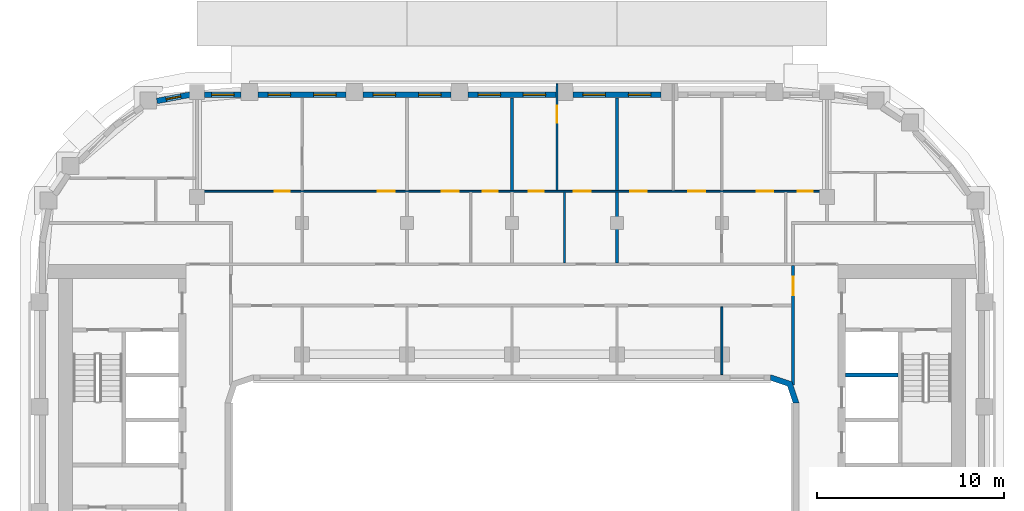
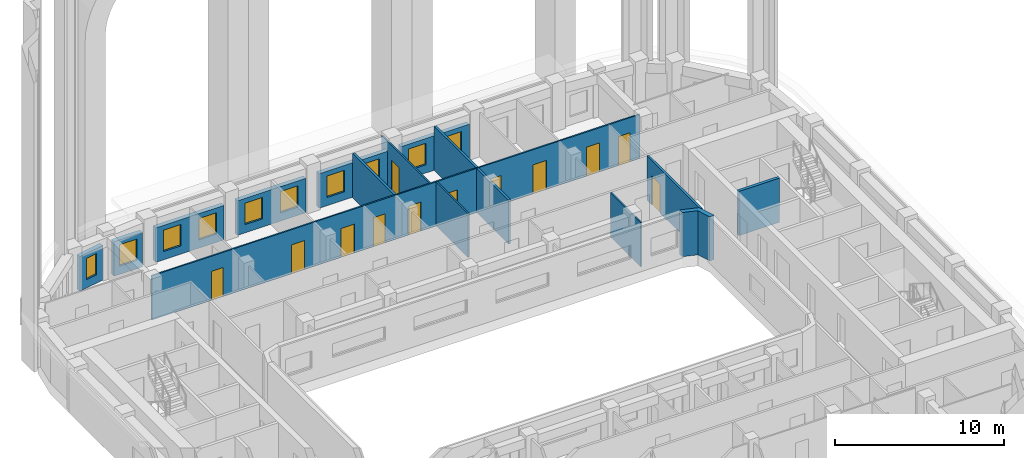
# One storey, part 8 of 20: 16 walls, 12 doors, 10 windows, 22 openings.
"""IFC4 building model written with IfcOpenShell, lengths in metres."""

from ifc_helpers import new_model, si_unit, direction, frame, frame_2d, origin, place, context, subcontext, project, spatial, polyline, rectangle, outline, extrude, material, layer, layer_set, type_object, element, fill, save


model = new_model("IFC4")

# Units and contexts
model_context = context("Model", 3, precision=1e-05, world=origin(), true_north=direction((0.0, 1.0)))
body_context = subcontext(model_context, "Body", "Model", "MODEL_VIEW")
ifc_project = project(units=[si_unit("LENGTHUNIT", "METRE"), si_unit("AREAUNIT", "SQUARE_METRE"), si_unit("VOLUMEUNIT", "CUBIC_METRE"), si_unit("PLANEANGLEUNIT", "RADIAN"), si_unit("MASSUNIT", "GRAM", prefix="KILO")], contexts=[model_context])

# Site, building, storey
site_placement = place(None, origin())
site = spatial("IfcSite", under=ifc_project, at=site_placement, CompositionType="ELEMENT")
building_placement = place(site_placement, origin())
building = spatial("IfcBuilding", under=site, at=building_placement, Name="Kiln Ring Residences", CompositionType="ELEMENT")
storey_placement = place(building_placement, frame((0.0, 0.0, 188.89990234375)))
storey = spatial("IfcBuildingStorey", under=building, at=storey_placement, Name="L48", CompositionType="ELEMENT", Elevation=188.89990234375)

# Wall
ifc_material_1 = material(Name="Gypsum shaft wall system")
ifc_layer_1 = layer(ifc_material_1, 0.199951171875)
ifc_layer_set_1 = layer_set([ifc_layer_1], Name="CORE-SHAFT-WALL-200")
wall_type_1 = type_object("IfcWallType", Name="CORE-SHAFT-WALL-200", PredefinedType="PARTITIONING", material=ifc_layer_set_1)
wall_1_placement = place(storey_placement, frame((17.800048828125, 7.300048828125, 0.0), z_axis=(0.0, 0.0, 1.0), x_axis=(1.0, 0.0, 0.0)))
element("IfcWall", 1, at=wall_1_placement, inside=storey, type_object=wall_type_1, Name="Core partition east L48 7", PredefinedType="PARTITIONING", context=body_context, shape_type="SweptSolid", body=[
    extrude(rectangle(XDim=2.800048828125, YDim=0.199951171875, at=frame_2d((1.39990234375, 0.0))), origin(), (0.0, 0.0, 1.0), 3.2001953125),
])

# Wall, openings, windows
ifc_material_2 = material(Name="Brick masonry, dark clay brick", Category="masonry")
ifc_layer_2 = layer(ifc_material_2, 0.300048828125)
ifc_layer_set_2 = layer_set([ifc_layer_2], Name="EW-300 BRICK WALL")
wall_type_2 = type_object("IfcWallType", Name="EW-300 BRICK WALL", PredefinedType="SOLIDWALL", material=ifc_layer_set_2)
wall_2_placement = place(storey_placement, frame((7.949951171875, 22.25, 0.0), z_axis=(0.0, 0.0, 1.0), x_axis=(-1.0, 0.0, 0.0)))
wall_2 = element("IfcWall", 2, at=wall_2_placement, inside=storey, type_object=wall_type_2, Name="Facade wall L48 29", PredefinedType="SOLIDWALL", context=body_context, shape_type="SweptSolid", body=[
    extrude(rectangle(XDim=4.699951171875, YDim=0.300048828125, at=frame_2d((2.35009765625, 0.0))), origin(), (0.0, 0.0, 1.0), 2.5),
])
opening_1_placement = place(wall_2_placement, frame((0.53759765625, 0.0, 0.60009765625)))
opening_1 = element("IfcOpeningElement", 3, at=opening_1_placement, cuts=wall_2, Name="Opening W1", PredefinedType="OPENING", context=body_context, shape_type="SweptSolid", body=[
    extrude(rectangle(XDim=1.199951171875, YDim=1.550048828125, at=frame_2d((0.60009765625, 0.77490234375))), frame((0.0, 0.159912109375, 0.0), z_axis=(0.0, -1.0, 0.0), x_axis=(1.0, 0.0, 0.0)), (0.0, 0.0, 1.0), 0.320068359375),
])
opening_2_placement = place(wall_2_placement, frame((2.96240234375, 0.0, 0.60009765625)))
opening_2 = element("IfcOpeningElement", 4, at=opening_2_placement, cuts=wall_2, Name="Opening W1", PredefinedType="OPENING", context=body_context, shape_type="SweptSolid", body=[
    extrude(rectangle(XDim=1.199951171875, YDim=1.550048828125, at=frame_2d((0.60009765625, 0.77490234375))), frame((0.0, 0.159912109375, 0.0), z_axis=(0.0, -1.0, 0.0), x_axis=(1.0, 0.0, 0.0)), (0.0, 0.0, 1.0), 0.320068359375),
])
ifc_material_3 = material(Name="Aluminium frame with double glazing", Category="aluminium")
window_type_1 = type_object("IfcWindowType", Name="WINDOW 1200 x 1550", PartitioningType="SINGLE_PANEL", PredefinedType="WINDOW", material=ifc_material_3)
window_1_placement = place(opening_1_placement, origin())
window_1 = element("IfcWindow", 5, at=window_1_placement, inside=storey, type_object=window_type_1, Name="Window L48 23", OverallHeight=1.550048828125, OverallWidth=1.199951171875, PartitioningType="SINGLE_PANEL", PredefinedType="WINDOW", context=body_context, shape_type="SweptSolid", body=[
    extrude(rectangle(XDim=1.199951171875, YDim=1.550048828125, at=frame_2d((0.60009765625, 0.77490234375))), frame((0.0, 0.030029296875, 0.0), z_axis=(0.0, -1.0, 0.0), x_axis=(1.0, 0.0, 0.0)), (0.0, 0.0, 1.0), 0.06005859375),
])
fill(opening_1, window_1)
window_2_placement = place(opening_2_placement, origin())
window_2 = element("IfcWindow", 6, at=window_2_placement, inside=storey, type_object=window_type_1, Name="Window L48 24", OverallHeight=1.550048828125, OverallWidth=1.199951171875, PartitioningType="SINGLE_PANEL", PredefinedType="WINDOW", context=body_context, shape_type="SweptSolid", body=[
    extrude(rectangle(XDim=1.199951171875, YDim=1.550048828125, at=frame_2d((0.60009765625, 0.77490234375))), frame((0.0, 0.030029296875, 0.0), z_axis=(0.0, -1.0, 0.0), x_axis=(1.0, 0.0, 0.0)), (0.0, 0.0, 1.0), 0.06005859375),
])
fill(opening_2, window_2)

wall_3_placement = place(storey_placement, frame((2.35009765625, 22.25, 0.0), z_axis=(0.0, 0.0, 1.0), x_axis=(-1.0, 0.0, 0.0)))
wall_3 = element("IfcWall", 7, at=wall_3_placement, inside=storey, type_object=wall_type_2, Name="Facade wall L48 30", PredefinedType="SOLIDWALL", context=body_context, shape_type="SweptSolid", body=[
    extrude(rectangle(XDim=4.7001953125, YDim=0.300048828125, at=frame_2d((2.35009765625, 0.0))), origin(), (0.0, 0.0, 1.0), 2.5),
])
opening_3_placement = place(wall_3_placement, frame((0.550048828125, 0.0, 0.60009765625)))
opening_3 = element("IfcOpeningElement", 8, at=opening_3_placement, cuts=wall_3, Name="Opening W1", PredefinedType="OPENING", context=body_context, shape_type="SweptSolid", body=[
    extrude(rectangle(XDim=1.199951171875, YDim=1.550048828125, at=frame_2d((0.60009765625, 0.77490234375))), frame((0.0, 0.159912109375, 0.0), z_axis=(0.0, -1.0, 0.0), x_axis=(1.0, 0.0, 0.0)), (0.0, 0.0, 1.0), 0.320068359375),
])
opening_4_placement = place(wall_3_placement, frame((2.96240234375, 0.0, 0.60009765625)))
opening_4 = element("IfcOpeningElement", 9, at=opening_4_placement, cuts=wall_3, Name="Opening W1", PredefinedType="OPENING", context=body_context, shape_type="SweptSolid", body=[
    extrude(rectangle(XDim=1.199951171875, YDim=1.550048828125, at=frame_2d((0.60009765625, 0.77490234375))), frame((0.0, 0.159912109375, 0.0), z_axis=(0.0, -1.0, 0.0), x_axis=(1.0, 0.0, 0.0)), (0.0, 0.0, 1.0), 0.320068359375),
])
window_3_placement = place(opening_3_placement, origin())
window_3 = element("IfcWindow", 10, at=window_3_placement, inside=storey, type_object=window_type_1, Name="Window L48 25", OverallHeight=1.550048828125, OverallWidth=1.199951171875, PartitioningType="SINGLE_PANEL", PredefinedType="WINDOW", context=body_context, shape_type="SweptSolid", body=[
    extrude(rectangle(XDim=1.199951171875, YDim=1.550048828125, at=frame_2d((0.60009765625, 0.77490234375))), frame((0.0, 0.030029296875, 0.0), z_axis=(0.0, -1.0, 0.0), x_axis=(1.0, 0.0, 0.0)), (0.0, 0.0, 1.0), 0.06005859375),
])
fill(opening_3, window_3)
window_4_placement = place(opening_4_placement, origin())
window_4 = element("IfcWindow", 11, at=window_4_placement, inside=storey, type_object=window_type_1, Name="Window L48 26", OverallHeight=1.550048828125, OverallWidth=1.199951171875, PartitioningType="SINGLE_PANEL", PredefinedType="WINDOW", context=body_context, shape_type="SweptSolid", body=[
    extrude(rectangle(XDim=1.199951171875, YDim=1.550048828125, at=frame_2d((0.60009765625, 0.77490234375))), frame((0.0, 0.030029296875, 0.0), z_axis=(0.0, -1.0, 0.0), x_axis=(1.0, 0.0, 0.0)), (0.0, 0.0, 1.0), 0.06005859375),
])
fill(opening_4, window_4)

wall_4_placement = place(storey_placement, frame((-3.25, 22.25, 0.0), z_axis=(0.0, 0.0, 1.0), x_axis=(-1.0, 0.0, 0.0)))
wall_4 = element("IfcWall", 12, at=wall_4_placement, inside=storey, type_object=wall_type_2, Name="Facade wall L48 31", PredefinedType="SOLIDWALL", context=body_context, shape_type="SweptSolid", body=[
    extrude(rectangle(XDim=4.699951171875, YDim=0.300048828125, at=frame_2d((2.35009765625, 0.0))), origin(), (0.0, 0.0, 1.0), 2.5),
])
opening_5_placement = place(wall_4_placement, frame((0.53759765625, 0.0, 0.60009765625)))
opening_5 = element("IfcOpeningElement", 13, at=opening_5_placement, cuts=wall_4, Name="Opening W1", PredefinedType="OPENING", context=body_context, shape_type="SweptSolid", body=[
    extrude(rectangle(XDim=1.199951171875, YDim=1.550048828125, at=frame_2d((0.60009765625, 0.77490234375))), frame((0.0, 0.159912109375, 0.0), z_axis=(0.0, -1.0, 0.0), x_axis=(1.0, 0.0, 0.0)), (0.0, 0.0, 1.0), 0.320068359375),
])
opening_6_placement = place(wall_4_placement, frame((2.96240234375, 0.0, 0.60009765625)))
opening_6 = element("IfcOpeningElement", 14, at=opening_6_placement, cuts=wall_4, Name="Opening W1", PredefinedType="OPENING", context=body_context, shape_type="SweptSolid", body=[
    extrude(rectangle(XDim=1.199951171875, YDim=1.550048828125, at=frame_2d((0.60009765625, 0.77490234375))), frame((0.0, 0.159912109375, 0.0), z_axis=(0.0, -1.0, 0.0), x_axis=(1.0, 0.0, 0.0)), (0.0, 0.0, 1.0), 0.320068359375),
])
window_5_placement = place(opening_5_placement, origin())
window_5 = element("IfcWindow", 15, at=window_5_placement, inside=storey, type_object=window_type_1, Name="Window L48 27", OverallHeight=1.550048828125, OverallWidth=1.199951171875, PartitioningType="SINGLE_PANEL", PredefinedType="WINDOW", context=body_context, shape_type="SweptSolid", body=[
    extrude(rectangle(XDim=1.199951171875, YDim=1.550048828125, at=frame_2d((0.60009765625, 0.77490234375))), frame((0.0, 0.030029296875, 0.0), z_axis=(0.0, -1.0, 0.0), x_axis=(1.0, 0.0, 0.0)), (0.0, 0.0, 1.0), 0.06005859375),
])
fill(opening_5, window_5)
window_6_placement = place(opening_6_placement, origin())
window_6 = element("IfcWindow", 16, at=window_6_placement, inside=storey, type_object=window_type_1, Name="Window L48 28", OverallHeight=1.550048828125, OverallWidth=1.199951171875, PartitioningType="SINGLE_PANEL", PredefinedType="WINDOW", context=body_context, shape_type="SweptSolid", body=[
    extrude(rectangle(XDim=1.199951171875, YDim=1.550048828125, at=frame_2d((0.60009765625, 0.77490234375))), frame((0.0, 0.030029296875, 0.0), z_axis=(0.0, -1.0, 0.0), x_axis=(1.0, 0.0, 0.0)), (0.0, 0.0, 1.0), 0.06005859375),
])
fill(opening_6, window_6)

wall_5_placement = place(storey_placement, frame((-8.85009765625, 22.25, 0.0), z_axis=(0.0, 0.0, 1.0), x_axis=(-1.0, 0.0, 0.0)))
wall_5 = element("IfcWall", 17, at=wall_5_placement, inside=storey, type_object=wall_type_2, Name="Facade wall L48 32", PredefinedType="SOLIDWALL", context=body_context, shape_type="SweptSolid", body=[
    extrude(rectangle(XDim=4.699951171875, YDim=0.300048828125, at=frame_2d((2.35009765625, 0.0))), origin(), (0.0, 0.0, 1.0), 2.5),
])
opening_7_placement = place(wall_5_placement, frame((0.53759765625, 0.0, 0.60009765625)))
opening_7 = element("IfcOpeningElement", 18, at=opening_7_placement, cuts=wall_5, Name="Opening W1", PredefinedType="OPENING", context=body_context, shape_type="SweptSolid", body=[
    extrude(rectangle(XDim=1.199951171875, YDim=1.550048828125, at=frame_2d((0.60009765625, 0.77490234375))), frame((0.0, 0.159912109375, 0.0), z_axis=(0.0, -1.0, 0.0), x_axis=(1.0, 0.0, 0.0)), (0.0, 0.0, 1.0), 0.320068359375),
])
opening_8_placement = place(wall_5_placement, frame((2.96240234375, 0.0, 0.60009765625)))
opening_8 = element("IfcOpeningElement", 19, at=opening_8_placement, cuts=wall_5, Name="Opening W1", PredefinedType="OPENING", context=body_context, shape_type="SweptSolid", body=[
    extrude(rectangle(XDim=1.199951171875, YDim=1.550048828125, at=frame_2d((0.60009765625, 0.77490234375))), frame((0.0, 0.159912109375, 0.0), z_axis=(0.0, -1.0, 0.0), x_axis=(1.0, 0.0, 0.0)), (0.0, 0.0, 1.0), 0.320068359375),
])
window_7_placement = place(opening_7_placement, origin())
window_7 = element("IfcWindow", 20, at=window_7_placement, inside=storey, type_object=window_type_1, Name="Window L48 29", OverallHeight=1.550048828125, OverallWidth=1.199951171875, PartitioningType="SINGLE_PANEL", PredefinedType="WINDOW", context=body_context, shape_type="SweptSolid", body=[
    extrude(rectangle(XDim=1.199951171875, YDim=1.550048828125, at=frame_2d((0.60009765625, 0.77490234375))), frame((0.0, 0.030029296875, 0.0), z_axis=(0.0, -1.0, 0.0), x_axis=(1.0, 0.0, 0.0)), (0.0, 0.0, 1.0), 0.06005859375),
])
fill(opening_7, window_7)
window_8_placement = place(opening_8_placement, origin())
window_8 = element("IfcWindow", 21, at=window_8_placement, inside=storey, type_object=window_type_1, Name="Window L48 30", OverallHeight=1.550048828125, OverallWidth=1.199951171875, PartitioningType="SINGLE_PANEL", PredefinedType="WINDOW", context=body_context, shape_type="SweptSolid", body=[
    extrude(rectangle(XDim=1.199951171875, YDim=1.550048828125, at=frame_2d((0.60009765625, 0.77490234375))), frame((0.0, 0.030029296875, 0.0), z_axis=(0.0, -1.0, 0.0), x_axis=(1.0, 0.0, 0.0)), (0.0, 0.0, 1.0), 0.06005859375),
])
fill(opening_8, window_8)

# Wall, opening, window
wall_6_placement = place(storey_placement, frame((-14.449951171875, 22.25, 0.0), z_axis=(0.0, 0.0, 1.0), x_axis=(-1.0, 0.0, 0.0)))
wall_6 = element("IfcWall", 22, at=wall_6_placement, inside=storey, type_object=wall_type_2, Name="Facade wall L48 33", PredefinedType="SOLIDWALL", context=body_context, shape_type="SweptSolid", body=[
    extrude(rectangle(XDim=1.949951171875, YDim=0.300048828125, at=frame_2d((0.97509765625, 0.0))), origin(), (0.0, 0.0, 1.0), 2.5),
])
opening_9_placement = place(wall_6_placement, frame((0.375, 0.0, 0.60009765625)))
opening_9 = element("IfcOpeningElement", 23, at=opening_9_placement, cuts=wall_6, Name="Opening W1", PredefinedType="OPENING", context=body_context, shape_type="SweptSolid", body=[
    extrude(rectangle(XDim=1.199951171875, YDim=1.550048828125, at=frame_2d((0.60009765625, 0.77490234375))), frame((0.0, 0.159912109375, 0.0), z_axis=(0.0, -1.0, 0.0), x_axis=(1.0, 0.0, 0.0)), (0.0, 0.0, 1.0), 0.320068359375),
])
window_9_placement = place(opening_9_placement, origin())
window_9 = element("IfcWindow", 24, at=window_9_placement, inside=storey, type_object=window_type_1, Name="Window L48 31", OverallHeight=1.550048828125, OverallWidth=1.199951171875, PartitioningType="SINGLE_PANEL", PredefinedType="WINDOW", context=body_context, shape_type="SweptSolid", body=[
    extrude(rectangle(XDim=1.199951171875, YDim=1.550048828125, at=frame_2d((0.60009765625, 0.77490234375))), frame((0.0, 0.030029296875, 0.0), z_axis=(0.0, -1.0, 0.0), x_axis=(1.0, 0.0, 0.0)), (0.0, 0.0, 1.0), 0.06005859375),
])
fill(opening_9, window_9)

wall_7_placement = place(storey_placement, frame((-17.178955078125, 22.251220703125, 0.0), z_axis=(0.0, 0.0, 1.0), x_axis=(-0.98230529033, -0.187286722942, 0.0)))
wall_7 = element("IfcWall", 25, at=wall_7_placement, inside=storey, type_object=wall_type_2, Name="Facade wall L48 34", PredefinedType="SOLIDWALL", context=body_context, shape_type="SweptSolid", body=[
    extrude(rectangle(XDim=1.798828125, YDim=0.300048828125, at=frame_2d((0.8994140625, 0.0))), origin(), (0.0, 0.0, 1.0), 2.5),
])
opening_10_placement = place(wall_7_placement, frame((0.49951171875, 0.0, 0.60009765625)))
opening_10 = element("IfcOpeningElement", 26, at=opening_10_placement, cuts=wall_7, Name="Opening W5", PredefinedType="OPENING", context=body_context, shape_type="SweptSolid", body=[
    extrude(rectangle(XDim=0.800048828125, YDim=1.550048828125, at=frame_2d((0.39990234375, 0.77490234375))), frame((0.0, 0.159912109375, 0.0), z_axis=(0.0, -1.0, 0.0), x_axis=(1.0, 0.0, 0.0)), (0.0, 0.0, 1.0), 0.320068359375),
])
ifc_material_4 = material(Name="Aluminium frame with double glazing", Category="aluminium")
window_type_2 = type_object("IfcWindowType", Name="WINDOW 800 x 1550", PartitioningType="SINGLE_PANEL", PredefinedType="WINDOW", material=ifc_material_4)
window_10_placement = place(opening_10_placement, origin())
window_10 = element("IfcWindow", 27, at=window_10_placement, inside=storey, type_object=window_type_2, Name="Window L48 32", OverallHeight=1.550048828125, OverallWidth=0.800048828125, PartitioningType="SINGLE_PANEL", PredefinedType="WINDOW", context=body_context, shape_type="SweptSolid", body=[
    extrude(rectangle(XDim=0.800048828125, YDim=1.550048828125, at=frame_2d((0.39990234375, 0.77490234375))), frame((0.0, 0.030029296875, 0.0), z_axis=(0.0, -1.0, 0.0), x_axis=(1.0, 0.0, 0.0)), (0.0, 0.0, 1.0), 0.06005859375),
])
fill(opening_10, window_10)

# Wall
wall_8_placement = place(storey_placement, origin())
element("IfcWall", 28, at=wall_8_placement, inside=storey, type_object=wall_type_2, Name="Corner wall L48 2", PredefinedType="SOLIDWALL", context=body_context, shape_type="SweptSolid", body=[
    extrude(outline(polyline([(14.937255859375, 6.937255859375), (13.8486328125, 7.300048828125), (13.800048828125, 7.300048828125), (13.800048828125, 7.0), (14.699951171875, 6.699951171875), (15.0, 5.800048828125), (15.300048828125, 5.800048828125), (15.300048828125, 5.8486328125), (14.937255859375, 6.937255859375)])), origin(), (0.0, 0.0, 1.0), 3.2001953125),
])

# Wall, openings, doors
ifc_material_5 = material(Name="Gypsum board on steel studs", Category="steel")
ifc_layer_3 = layer(ifc_material_5, 0.10009765625)
ifc_layer_set_3 = layer_set([ifc_layer_3], Name="PARTITION-100")
wall_type_3 = type_object("IfcWallType", Name="PARTITION-100", PredefinedType="PARTITIONING", material=ifc_layer_set_3)
wall_9_placement = place(storey_placement, frame((-16.72509765625, 17.10009765625, 0.0), z_axis=(0.0, 0.0, 1.0), x_axis=(1.0, 0.0, 0.0)))
wall_9 = element("IfcWall", 29, at=wall_9_placement, inside=storey, type_object=wall_type_3, Name="Partition 011", PredefinedType="PARTITIONING", context=body_context, shape_type="SweptSolid", body=[
    extrude(rectangle(XDim=33.4501953125, YDim=0.10009765625, at=frame_2d((16.72509765625, 0.0))), origin(), (0.0, 0.0, 1.0), 3.2001953125),
])
opening_11_placement = place(wall_9_placement, frame((4.074951171875, 0.0, 0.0)))
opening_11 = element("IfcOpeningElement", 30, at=opening_11_placement, cuts=wall_9, Name="Opening L48-D016", PredefinedType="OPENING", context=body_context, shape_type="SweptSolid", body=[
    extrude(rectangle(XDim=0.800048828125, YDim=2.10009765625, at=frame_2d((0.39990234375, 1.050048828125))), frame((0.0, 0.06005859375, 0.0), z_axis=(0.0, -1.0, 0.0), x_axis=(1.0, 0.0, 0.0)), (0.0, 0.0, 1.0), 0.1201171875),
])
opening_12_placement = place(wall_9_placement, frame((9.574951171875, 0.0, 0.0)))
opening_12 = element("IfcOpeningElement", 31, at=opening_12_placement, cuts=wall_9, Name="Opening L48-D017", PredefinedType="OPENING", context=body_context, shape_type="SweptSolid", body=[
    extrude(rectangle(XDim=0.89990234375, YDim=2.10009765625, at=frame_2d((0.449951171875, 1.050048828125))), frame((0.0, 0.06005859375, 0.0), z_axis=(0.0, -1.0, 0.0), x_axis=(1.0, 0.0, 0.0)), (0.0, 0.0, 1.0), 0.1201171875),
])
opening_13_placement = place(wall_9_placement, frame((15.175048828125, 0.0, 0.0)))
opening_13 = element("IfcOpeningElement", 32, at=opening_13_placement, cuts=wall_9, Name="Opening L48-D020", PredefinedType="OPENING", context=body_context, shape_type="SweptSolid", body=[
    extrude(rectangle(XDim=0.800048828125, YDim=2.10009765625, at=frame_2d((0.39990234375, 1.050048828125))), frame((0.0, 0.06005859375, 0.0), z_axis=(0.0, -1.0, 0.0), x_axis=(1.0, 0.0, 0.0)), (0.0, 0.0, 1.0), 0.1201171875),
])
opening_14_placement = place(wall_9_placement, frame((12.97509765625, 0.0, 0.0)))
opening_14 = element("IfcOpeningElement", 33, at=opening_14_placement, cuts=wall_9, Name="Opening L48-D021", PredefinedType="OPENING", context=body_context, shape_type="SweptSolid", body=[
    extrude(rectangle(XDim=0.89990234375, YDim=2.10009765625, at=frame_2d((0.449951171875, 1.050048828125))), frame((0.0, 0.06005859375, 0.0), z_axis=(0.0, -1.0, 0.0), x_axis=(1.0, 0.0, 0.0)), (0.0, 0.0, 1.0), 0.1201171875),
])
opening_15_placement = place(wall_9_placement, frame((17.625, 0.0, 0.0)))
opening_15 = element("IfcOpeningElement", 34, at=opening_15_placement, cuts=wall_9, Name="Opening L48-D023", PredefinedType="OPENING", context=body_context, shape_type="SweptSolid", body=[
    extrude(rectangle(XDim=0.800048828125, YDim=2.10009765625, at=frame_2d((0.39990234375, 1.050048828125))), frame((0.0, 0.06005859375, 0.0), z_axis=(0.0, -1.0, 0.0), x_axis=(1.0, 0.0, 0.0)), (0.0, 0.0, 1.0), 0.1201171875),
])
opening_16_placement = place(wall_9_placement, frame((20.02490234375, 0.0, 0.0)))
opening_16 = element("IfcOpeningElement", 35, at=opening_16_placement, cuts=wall_9, Name="Opening L48-D024", PredefinedType="OPENING", context=body_context, shape_type="SweptSolid", body=[
    extrude(rectangle(XDim=0.89990234375, YDim=2.10009765625, at=frame_2d((0.449951171875, 1.050048828125))), frame((0.0, 0.06005859375, 0.0), z_axis=(0.0, -1.0, 0.0), x_axis=(1.0, 0.0, 0.0)), (0.0, 0.0, 1.0), 0.1201171875),
])
opening_17_placement = place(wall_9_placement, frame((31.97509765625, 0.0, 0.0)))
opening_17 = element("IfcOpeningElement", 36, at=opening_17_placement, cuts=wall_9, Name="Opening L48-D028", PredefinedType="OPENING", context=body_context, shape_type="SweptSolid", body=[
    extrude(rectangle(XDim=0.800048828125, YDim=2.10009765625, at=frame_2d((0.39990234375, 1.050048828125))), frame((0.0, 0.06005859375, 0.0), z_axis=(0.0, -1.0, 0.0), x_axis=(1.0, 0.0, 0.0)), (0.0, 0.0, 1.0), 0.1201171875),
])
opening_18_placement = place(wall_9_placement, frame((29.77490234375, 0.0, 0.0)))
opening_18 = element("IfcOpeningElement", 37, at=opening_18_placement, cuts=wall_9, Name="Opening L48-D029", PredefinedType="OPENING", context=body_context, shape_type="SweptSolid", body=[
    extrude(rectangle(XDim=0.89990234375, YDim=2.10009765625, at=frame_2d((0.449951171875, 1.050048828125))), frame((0.0, 0.06005859375, 0.0), z_axis=(0.0, -1.0, 0.0), x_axis=(1.0, 0.0, 0.0)), (0.0, 0.0, 1.0), 0.1201171875),
])
opening_19_placement = place(wall_9_placement, frame((23.02490234375, 0.0, 0.0)))
opening_19 = element("IfcOpeningElement", 38, at=opening_19_placement, cuts=wall_9, Name="Opening L48-D030", PredefinedType="OPENING", context=body_context, shape_type="SweptSolid", body=[
    extrude(rectangle(XDim=0.89990234375, YDim=2.10009765625, at=frame_2d((0.449951171875, 1.050048828125))), frame((0.0, 0.06005859375, 0.0), z_axis=(0.0, -1.0, 0.0), x_axis=(1.0, 0.0, 0.0)), (0.0, 0.0, 1.0), 0.1201171875),
])
opening_20_placement = place(wall_9_placement, frame((26.125, 0.0, 0.0)))
opening_20 = element("IfcOpeningElement", 39, at=opening_20_placement, cuts=wall_9, Name="Opening L48-D031", PredefinedType="OPENING", context=body_context, shape_type="SweptSolid", body=[
    extrude(rectangle(XDim=0.89990234375, YDim=2.10009765625, at=frame_2d((0.449951171875, 1.050048828125))), frame((0.0, 0.06005859375, 0.0), z_axis=(0.0, -1.0, 0.0), x_axis=(1.0, 0.0, 0.0)), (0.0, 0.0, 1.0), 0.1201171875),
])
ifc_material_6 = material(Name="Timber door leaf", Category="wood")
door_type_1 = type_object("IfcDoorType", Name="FLAT-DOOR-800-PL", OperationType="SINGLE_SWING_LEFT", PredefinedType="DOOR", material=ifc_material_6)
door_1_placement = place(opening_11_placement, origin())
door_1 = element("IfcDoor", 40, at=door_1_placement, inside=storey, type_object=door_type_1, Name="Door L48-D016", OperationType="SINGLE_SWING_RIGHT", OverallHeight=2.10009765625, OverallWidth=0.800048828125, PredefinedType="DOOR", context=body_context, shape_type="SweptSolid", body=[
    extrude(rectangle(XDim=0.800048828125, YDim=2.10009765625, at=frame_2d((0.39990234375, 1.050048828125))), frame((0.0, 0.02490234375, 0.0), z_axis=(0.0, -1.0, 0.0), x_axis=(1.0, 0.0, 0.0)), (0.0, 0.0, 1.0), 0.050048828125),
])
fill(opening_11, door_1)
door_2_placement = place(opening_13_placement, origin())
door_2 = element("IfcDoor", 41, at=door_2_placement, inside=storey, type_object=door_type_1, Name="Door L48-D020", OperationType="SINGLE_SWING_RIGHT", OverallHeight=2.10009765625, OverallWidth=0.800048828125, PredefinedType="DOOR", context=body_context, shape_type="SweptSolid", body=[
    extrude(rectangle(XDim=0.800048828125, YDim=2.10009765625, at=frame_2d((0.39990234375, 1.050048828125))), frame((0.0, 0.02490234375, 0.0), z_axis=(0.0, -1.0, 0.0), x_axis=(1.0, 0.0, 0.0)), (0.0, 0.0, 1.0), 0.050048828125),
])
fill(opening_13, door_2)
door_3_placement = place(opening_15_placement, origin())
door_3 = element("IfcDoor", 42, at=door_3_placement, inside=storey, type_object=door_type_1, Name="Door L48-D023", OperationType="SINGLE_SWING_LEFT", OverallHeight=2.10009765625, OverallWidth=0.800048828125, PredefinedType="DOOR", context=body_context, shape_type="SweptSolid", body=[
    extrude(rectangle(XDim=0.800048828125, YDim=2.10009765625, at=frame_2d((0.39990234375, 1.050048828125))), frame((0.0, 0.02490234375, 0.0), z_axis=(0.0, -1.0, 0.0), x_axis=(1.0, 0.0, 0.0)), (0.0, 0.0, 1.0), 0.050048828125),
])
fill(opening_15, door_3)
door_4_placement = place(opening_17_placement, origin())
door_4 = element("IfcDoor", 43, at=door_4_placement, inside=storey, type_object=door_type_1, Name="Door L48-D028", OperationType="SINGLE_SWING_RIGHT", OverallHeight=2.10009765625, OverallWidth=0.800048828125, PredefinedType="DOOR", context=body_context, shape_type="SweptSolid", body=[
    extrude(rectangle(XDim=0.800048828125, YDim=2.10009765625, at=frame_2d((0.39990234375, 1.050048828125))), frame((0.0, 0.02490234375, 0.0), z_axis=(0.0, -1.0, 0.0), x_axis=(1.0, 0.0, 0.0)), (0.0, 0.0, 1.0), 0.050048828125),
])
fill(opening_17, door_4)
ifc_material_7 = material(Name="Timber door leaf", Category="wood")
door_type_2 = type_object("IfcDoorType", Name="FLAT-DOOR-900-PL", OperationType="SINGLE_SWING_LEFT", PredefinedType="DOOR", material=ifc_material_7)
door_5_placement = place(opening_12_placement, origin())
door_5 = element("IfcDoor", 44, at=door_5_placement, inside=storey, type_object=door_type_2, Name="Door L48-D017", OperationType="SINGLE_SWING_LEFT", OverallHeight=2.10009765625, OverallWidth=0.89990234375, PredefinedType="DOOR", context=body_context, shape_type="SweptSolid", body=[
    extrude(rectangle(XDim=0.89990234375, YDim=2.10009765625, at=frame_2d((0.449951171875, 1.050048828125))), frame((0.0, 0.02490234375, 0.0), z_axis=(0.0, -1.0, 0.0), x_axis=(1.0, 0.0, 0.0)), (0.0, 0.0, 1.0), 0.050048828125),
])
fill(opening_12, door_5)
door_6_placement = place(opening_14_placement, origin())
door_6 = element("IfcDoor", 45, at=door_6_placement, inside=storey, type_object=door_type_2, Name="Door L48-D021", OperationType="SINGLE_SWING_LEFT", OverallHeight=2.10009765625, OverallWidth=0.89990234375, PredefinedType="DOOR", context=body_context, shape_type="SweptSolid", body=[
    extrude(rectangle(XDim=0.89990234375, YDim=2.10009765625, at=frame_2d((0.449951171875, 1.050048828125))), frame((0.0, 0.02490234375, 0.0), z_axis=(0.0, -1.0, 0.0), x_axis=(1.0, 0.0, 0.0)), (0.0, 0.0, 1.0), 0.050048828125),
])
fill(opening_14, door_6)
door_7_placement = place(opening_16_placement, origin())
door_7 = element("IfcDoor", 46, at=door_7_placement, inside=storey, type_object=door_type_2, Name="Door L48-D024", OperationType="SINGLE_SWING_RIGHT", OverallHeight=2.10009765625, OverallWidth=0.89990234375, PredefinedType="DOOR", context=body_context, shape_type="SweptSolid", body=[
    extrude(rectangle(XDim=0.89990234375, YDim=2.10009765625, at=frame_2d((0.449951171875, 1.050048828125))), frame((0.0, 0.02490234375, 0.0), z_axis=(0.0, -1.0, 0.0), x_axis=(1.0, 0.0, 0.0)), (0.0, 0.0, 1.0), 0.050048828125),
])
fill(opening_16, door_7)
door_8_placement = place(opening_18_placement, origin())
door_8 = element("IfcDoor", 47, at=door_8_placement, inside=storey, type_object=door_type_2, Name="Door L48-D029", OperationType="SINGLE_SWING_LEFT", OverallHeight=2.10009765625, OverallWidth=0.89990234375, PredefinedType="DOOR", context=body_context, shape_type="SweptSolid", body=[
    extrude(rectangle(XDim=0.89990234375, YDim=2.10009765625, at=frame_2d((0.449951171875, 1.050048828125))), frame((0.0, 0.02490234375, 0.0), z_axis=(0.0, -1.0, 0.0), x_axis=(1.0, 0.0, 0.0)), (0.0, 0.0, 1.0), 0.050048828125),
])
fill(opening_18, door_8)
door_9_placement = place(opening_19_placement, origin())
door_9 = element("IfcDoor", 48, at=door_9_placement, inside=storey, type_object=door_type_2, Name="Door L48-D030", OperationType="SINGLE_SWING_RIGHT", OverallHeight=2.10009765625, OverallWidth=0.89990234375, PredefinedType="DOOR", context=body_context, shape_type="SweptSolid", body=[
    extrude(rectangle(XDim=0.89990234375, YDim=2.10009765625, at=frame_2d((0.449951171875, 1.050048828125))), frame((0.0, 0.02490234375, 0.0), z_axis=(0.0, -1.0, 0.0), x_axis=(1.0, 0.0, 0.0)), (0.0, 0.0, 1.0), 0.050048828125),
])
fill(opening_19, door_9)
door_10_placement = place(opening_20_placement, origin())
door_10 = element("IfcDoor", 49, at=door_10_placement, inside=storey, type_object=door_type_2, Name="Door L48-D031", OperationType="SINGLE_SWING_LEFT", OverallHeight=2.10009765625, OverallWidth=0.89990234375, PredefinedType="DOOR", context=body_context, shape_type="SweptSolid", body=[
    extrude(rectangle(XDim=0.89990234375, YDim=2.10009765625, at=frame_2d((0.449951171875, 1.050048828125))), frame((0.0, 0.02490234375, 0.0), z_axis=(0.0, -1.0, 0.0), x_axis=(1.0, 0.0, 0.0)), (0.0, 0.0, 1.0), 0.050048828125),
])
fill(opening_20, door_10)

# Wall, opening, door
wall_10_placement = place(storey_placement, frame((2.39990234375, 17.14990234375, 0.0), z_axis=(0.0, 0.0, 1.0), x_axis=(0.0, 1.0, 0.0)))
wall_10 = element("IfcWall", 50, at=wall_10_placement, inside=storey, type_object=wall_type_3, Name="Partition 044", PredefinedType="PARTITIONING", context=body_context, shape_type="SweptSolid", body=[
    extrude(rectangle(XDim=5.68017578125, YDim=0.10009765625, at=frame_2d((2.840087890625, 0.0))), origin(), (0.0, 0.0, 1.0), 3.2001953125),
])
opening_21_placement = place(wall_10_placement, frame((3.610107421875, 0.0, 0.0)))
opening_21 = element("IfcOpeningElement", 51, at=opening_21_placement, cuts=wall_10, Name="Opening L48-D025", PredefinedType="OPENING", context=body_context, shape_type="SweptSolid", body=[
    extrude(rectangle(XDim=0.89990234375, YDim=2.10009765625, at=frame_2d((0.449951171875, 1.050048828125))), frame((0.0, 0.06005859375, 0.0), z_axis=(0.0, -1.0, 0.0), x_axis=(1.0, 0.0, 0.0)), (0.0, 0.0, 1.0), 0.1201171875),
])
door_11_placement = place(opening_21_placement, origin())
door_11 = element("IfcDoor", 52, at=door_11_placement, inside=storey, type_object=door_type_2, Name="Door L48-D025", OperationType="SINGLE_SWING_LEFT", OverallHeight=2.10009765625, OverallWidth=0.89990234375, PredefinedType="DOOR", context=body_context, shape_type="SweptSolid", body=[
    extrude(rectangle(XDim=0.89990234375, YDim=2.10009765625, at=frame_2d((0.449951171875, 1.050048828125))), frame((0.0, 0.02490234375, 0.0), z_axis=(0.0, -1.0, 0.0), x_axis=(1.0, 0.0, 0.0)), (0.0, 0.0, 1.0), 0.050048828125),
])
fill(opening_21, door_11)

# Walls
wall_11_placement = place(storey_placement, frame((2.800048828125, 13.27490234375, 0.0), z_axis=(0.0, 0.0, 1.0), x_axis=(0.0, 1.0, 0.0)))
element("IfcWall", 53, at=wall_11_placement, inside=storey, type_object=wall_type_3, Name="Partition 045", PredefinedType="PARTITIONING", context=body_context, shape_type="SweptSolid", body=[
    extrude(rectangle(XDim=3.775146484375, YDim=0.10009765625, at=frame_2d((1.8876953125, 0.0))), origin(), (0.0, 0.0, 1.0), 3.2001953125),
])
wall_12_placement = place(storey_placement, frame((11.199951171875, 7.320068359375, 0.0), z_axis=(0.0, 0.0, 1.0), x_axis=(0.0, 1.0, 0.0)))
element("IfcWall", 54, at=wall_12_placement, inside=storey, type_object=wall_type_3, Name="Partition 056", PredefinedType="PARTITIONING", context=body_context, shape_type="SweptSolid", body=[
    extrude(rectangle(XDim=3.60498046875, YDim=0.10009765625, at=frame_2d((1.802490234375, 0.0))), origin(), (0.0, 0.0, 1.0), 3.2001953125),
])
ifc_material_8 = material(Name="Brick masonry partition", Category="masonry")
ifc_layer_4 = layer(ifc_material_8, 0.14990234375)
ifc_layer_set_4 = layer_set([ifc_layer_4], Name="PARTITION-150-ei60")
wall_type_4 = type_object("IfcWallType", Name="PARTITION-150-ei60", PredefinedType="PARTITIONING", material=ifc_layer_set_4)
wall_13_placement = place(storey_placement, frame((0.0, 17.14990234375, 0.0), z_axis=(0.0, 0.0, 1.0), x_axis=(0.0, 1.0, 0.0)))
element("IfcWall", 55, at=wall_13_placement, inside=storey, type_object=wall_type_4, Name="Partition 043", PredefinedType="PARTITIONING", context=body_context, shape_type="SweptSolid", body=[
    extrude(rectangle(XDim=4.93017578125, YDim=0.14990234375, at=frame_2d((2.465087890625, 0.0))), origin(), (0.0, 0.0, 1.0), 3.2001953125),
])
wall_14_placement = place(storey_placement, frame((5.60009765625, 13.27490234375, 0.0), z_axis=(0.0, 0.0, 1.0), x_axis=(0.0, 1.0, 0.0)))
element("IfcWall", 56, at=wall_14_placement, inside=storey, type_object=wall_type_4, Name="Partition 051", PredefinedType="PARTITIONING", context=body_context, shape_type="SweptSolid", body=[
    extrude(rectangle(XDim=3.775146484375, YDim=0.14990234375, at=frame_2d((1.8876953125, 0.0))), origin(), (0.0, 0.0, 1.0), 3.2001953125),
])
wall_15_placement = place(storey_placement, frame((5.60009765625, 17.14990234375, 0.0), z_axis=(0.0, 0.0, 1.0), x_axis=(0.0, 1.0, 0.0)))
element("IfcWall", 57, at=wall_15_placement, inside=storey, type_object=wall_type_4, Name="Partition 052", PredefinedType="PARTITIONING", context=body_context, shape_type="SweptSolid", body=[
    extrude(rectangle(XDim=4.93017578125, YDim=0.14990234375, at=frame_2d((2.465087890625, 0.0))), origin(), (0.0, 0.0, 1.0), 3.2001953125),
])

# Wall, opening, door
wall_16_placement = place(storey_placement, frame((15.0, 6.768798828125, 0.0), z_axis=(0.0, 0.0, 1.0), x_axis=(0.0, 1.0, 0.0)))
wall_16 = element("IfcWall", 58, at=wall_16_placement, inside=storey, type_object=wall_type_4, Name="Partition 066", PredefinedType="PARTITIONING", context=body_context, shape_type="SweptSolid", body=[
    extrude(rectangle(XDim=6.356201171875, YDim=0.14990234375, at=frame_2d((3.17822265625, 0.0))), origin(), (0.0, 0.0, 1.0), 3.2001953125),
])
opening_22_placement = place(wall_16_placement, frame((4.78125, 0.0, 0.0)))
opening_22 = element("IfcOpeningElement", 59, at=opening_22_placement, cuts=wall_16, Name="Opening L48-D002", PredefinedType="OPENING", context=body_context, shape_type="SweptSolid", body=[
    extrude(rectangle(XDim=1.0, YDim=2.10009765625, at=frame_2d((0.5, 1.050048828125))), frame((0.0, 0.0849609375, 0.0), z_axis=(0.0, -1.0, 0.0), x_axis=(1.0, 0.0, 0.0)), (0.0, 0.0, 1.0), 0.169921875),
])
ifc_material_9 = material(Name="Steel faced fire door leaf", Category="steel")
door_type_3 = type_object("IfcDoorType", Name="FLAT-DOOR-1000-FR", OperationType="SINGLE_SWING_LEFT", PredefinedType="DOOR", material=ifc_material_9)
door_12_placement = place(opening_22_placement, origin())
door_12 = element("IfcDoor", 60, at=door_12_placement, inside=storey, type_object=door_type_3, Name="Door L48-D002", OperationType="SINGLE_SWING_LEFT", OverallHeight=2.10009765625, OverallWidth=1.0, PredefinedType="DOOR", context=body_context, shape_type="SweptSolid", body=[
    extrude(rectangle(XDim=1.0, YDim=2.10009765625, at=frame_2d((0.5, 1.050048828125))), frame((0.0, 0.02490234375, 0.0), z_axis=(0.0, -1.0, 0.0), x_axis=(1.0, 0.0, 0.0)), (0.0, 0.0, 1.0), 0.050048828125),
])
fill(opening_22, door_12)

save(model, "model.ifc")
